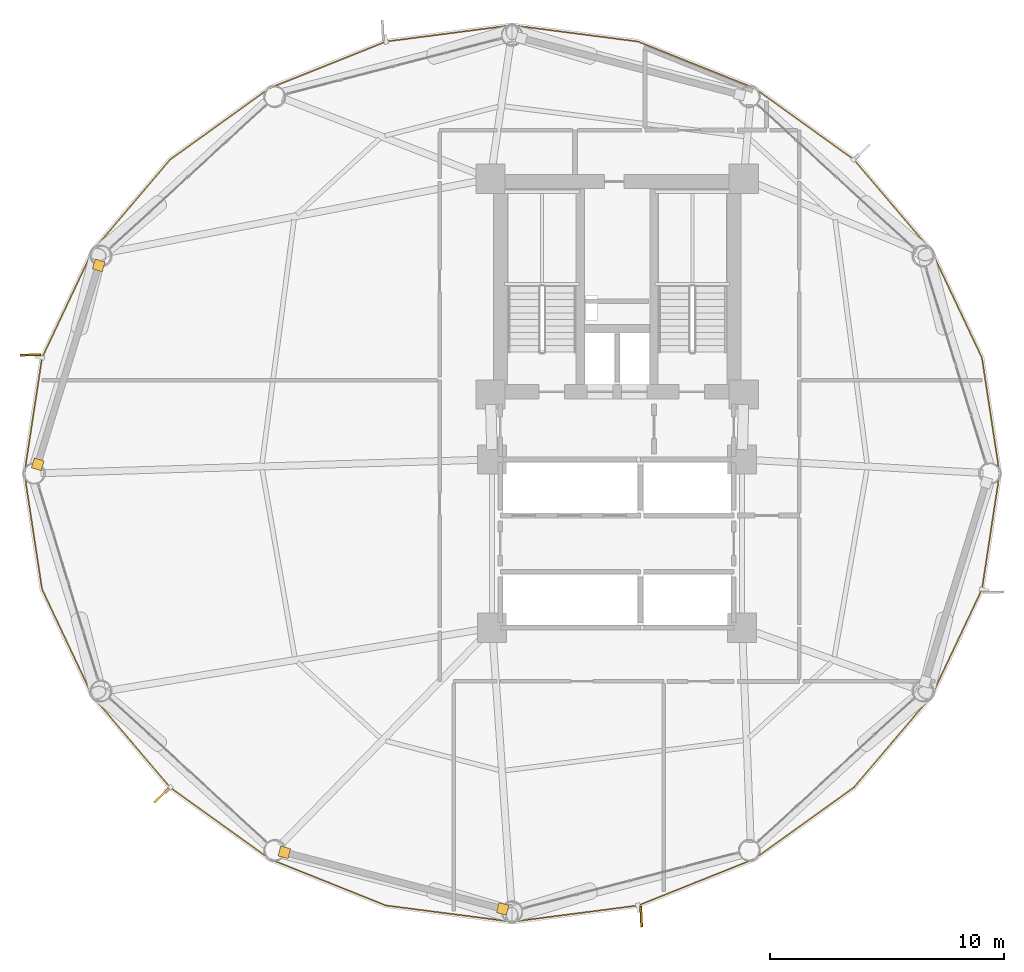
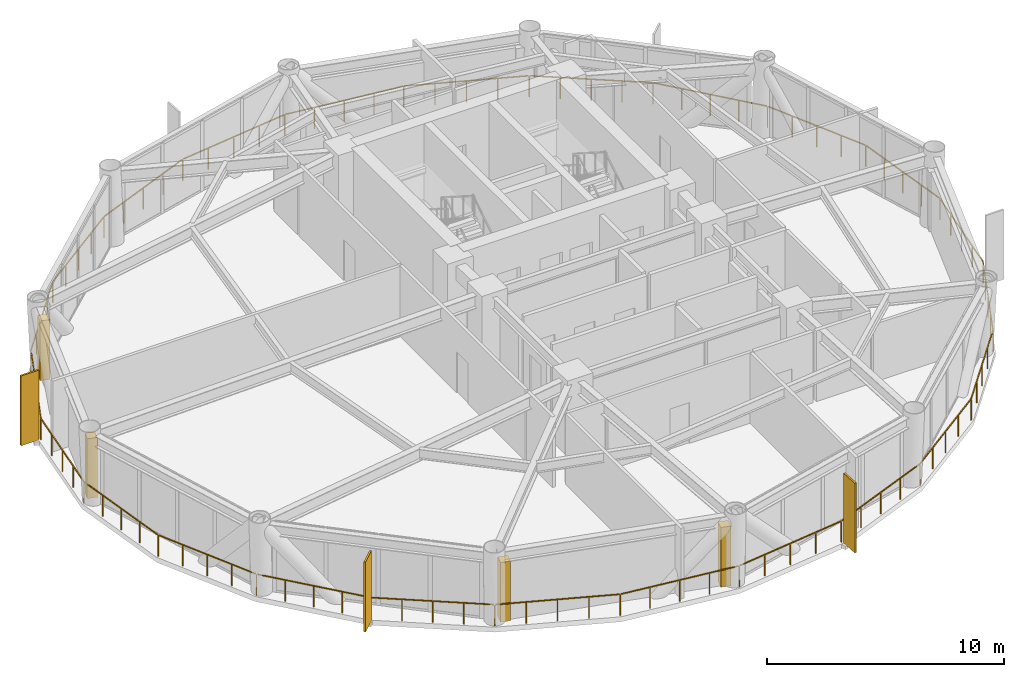
# One storey, part 23 of 25: 4 coverings, 3 shading devices, 1 railing.
"""IFC4 building model written with IfcOpenShell, lengths in metres."""

from ifc_helpers import new_model, si_unit, direction, frame, origin, origin_2d, place, context, subcontext, project, spatial, rectangle, extrude, source, transform, mapped, material, layer, layer_set, type_object, type_shapes, element, save


model = new_model("IFC4")

# Units and contexts
model_context = context("Model", 3, precision=1e-05, world=origin(), true_north=direction((0.0, 1.0)))
body_context = subcontext(model_context, "Body", "Model", "MODEL_VIEW")
ifc_project = project(units=[si_unit("LENGTHUNIT", "METRE"), si_unit("AREAUNIT", "SQUARE_METRE"), si_unit("VOLUMEUNIT", "CUBIC_METRE"), si_unit("PLANEANGLEUNIT", "RADIAN"), si_unit("MASSUNIT", "GRAM", prefix="KILO")], contexts=[model_context])

# Site, building, storey
site_placement = place(None, origin())
site = spatial("IfcSite", under=ifc_project, at=site_placement, CompositionType="ELEMENT")
building_placement = place(site_placement, origin())
building = spatial("IfcBuilding", under=site, at=building_placement, Name="Varnakorn Sky Granary", CompositionType="ELEMENT")
storey_placement = place(building_placement, frame((0.0, 0.0, 35.39990234375)))
storey = spatial("IfcBuildingStorey", under=building, at=storey_placement, Name="L08", CompositionType="ELEMENT", Elevation=35.39990234375)

# Railing
ifc_material = material(Name="Anodised Bronze Aluminium Alloy 6063-T6", Category="aluminium")
railing_type = type_object("IfcRailingType", Name="RL-BAL-1120", PredefinedType="BALUSTRADE", material=ifc_material)
railing_placement = place(storey_placement, frame((19.372802734375, 0.0, 0.0)))
element("IfcRailing", 1, at=railing_placement, inside=storey, type_object=railing_type, Name="Perimeter Slab-Edge Safety Guard L08", PredefinedType="BALUSTRADE", context=body_context, shape_type="SweptSolid", body=[
    extrude(rectangle(XDim=0.048095703125, YDim=0.048095703125, at=origin_2d()), frame((-0.004150390625, -0.027587890625, 1.09619140625), z_axis=(-0.150470995328, -0.988614424113, 0.0), x_axis=(0.988614424113, -0.150470995328, 0.0)), (0.0, 0.0, 1.0), 4.95263671875),
    extrude(rectangle(XDim=0.048095703125, YDim=0.048095703125, at=origin_2d()), frame((-0.765625, -4.97705078125, 1.09619140625), z_axis=(-0.426676074234, -0.904404515511, 0.0), x_axis=(0.904404515511, -0.426676074234, 0.0)), (0.0, 0.0, 1.0), 4.998779296875),
    extrude(rectangle(XDim=0.048095703125, YDim=0.048095703125, at=origin_2d()), frame((-2.928466796875, -9.54443359375, 1.09619140625), z_axis=(-0.647459465453, -0.762099888856, 0.0), x_axis=(0.762099888856, -0.647459465453, 0.0)), (0.0, 0.0, 1.0), 5.082763671875),
    extrude(rectangle(XDim=0.048095703125, YDim=0.048095703125, at=origin_2d()), frame((-6.26025390625, -13.455810546875, 1.09619140625), z_axis=(-0.812294920325, -0.583246913763, 0.0), x_axis=(0.583246913763, -0.812294920325, 0.0)), (0.0, 0.0, 1.0), 5.193603515625),
    extrude(rectangle(XDim=0.048095703125, YDim=0.048095703125, at=origin_2d()), frame((-10.527587890625, -16.51171875, 1.09619140625), z_axis=(-0.928504943011, -0.371320038248, 0.0), x_axis=(0.371320038248, -0.928504943011, 0.0)), (0.0, 0.0, 1.0), 5.30712890625),
    extrude(rectangle(XDim=0.048095703125, YDim=0.048095703125, at=origin_2d()), frame((-15.50927734375, -18.496337890625, 1.09619140625), z_axis=(-0.991734601453, -0.128306197362, 0.0), x_axis=(0.128306197362, -0.991734601453, 0.0)), (0.0, 0.0, 1.0), 5.38037109375),
    extrude(rectangle(XDim=0.048095703125, YDim=0.048095703125, at=origin_2d()), frame((-20.900634765625, -19.1865234375, 1.09619140625), z_axis=(-0.991734601453, 0.128306197362, 0.0), x_axis=(-0.128306197362, -0.991734601453, 0.0)), (0.0, 0.0, 1.0), 5.38037109375),
    extrude(rectangle(XDim=0.048095703125, YDim=0.048095703125, at=origin_2d()), frame((-26.2900390625, -18.482177734375, 1.09619140625), z_axis=(-0.928504943011, 0.371320038248, 0.0), x_axis=(-0.371320038248, -0.928504943011, 0.0)), (0.0, 0.0, 1.0), 5.30712890625),
    extrude(rectangle(XDim=0.048095703125, YDim=0.048095703125, at=origin_2d()), frame((-31.2666015625, -16.48486328125, 1.09619140625), z_axis=(-0.812294920325, 0.583246913763, 0.0), x_axis=(-0.583246913763, -0.812294920325, 0.0)), (0.0, 0.0, 1.0), 5.193603515625),
    extrude(rectangle(XDim=0.048095703125, YDim=0.048095703125, at=origin_2d()), frame((-35.526123046875, -13.418212890625, 1.09619140625), z_axis=(-0.647459465453, 0.762099888856, 0.0), x_axis=(-0.762099888856, -0.647459465453, 0.0)), (0.0, 0.0, 1.0), 5.082763671875),
    extrude(rectangle(XDim=0.048095703125, YDim=0.048095703125, at=origin_2d()), frame((-38.84716796875, -9.497802734375, 1.09619140625), z_axis=(-0.426676074234, 0.904404515511, 0.0), x_axis=(-0.904404515511, -0.426676074234, 0.0)), (0.0, 0.0, 1.0), 4.998779296875),
    extrude(rectangle(XDim=0.048095703125, YDim=0.048095703125, at=origin_2d()), frame((-40.99609375, -4.924072265625, 1.09619140625), z_axis=(-0.150470995328, 0.988614424113, 0.0), x_axis=(-0.988614424113, -0.150470995328, 0.0)), (0.0, 0.0, 1.0), 4.95263671875),
    extrude(rectangle(XDim=0.048095703125, YDim=0.048095703125, at=origin_2d()), frame((-41.741455078125, 0.027587890625, 1.09619140625), z_axis=(0.150470995328, 0.988614424113, 0.0), x_axis=(-0.988614424113, 0.150470995328, 0.0)), (0.0, 0.0, 1.0), 4.95263671875),
    extrude(rectangle(XDim=0.048095703125, YDim=0.048095703125, at=origin_2d()), frame((-40.97998046875, 4.97705078125, 1.09619140625), z_axis=(0.426676074234, 0.904404515511, 0.0), x_axis=(-0.904404515511, 0.426676074234, 0.0)), (0.0, 0.0, 1.0), 4.998779296875),
    extrude(rectangle(XDim=0.048095703125, YDim=0.048095703125, at=origin_2d()), frame((-38.817138671875, 9.54443359375, 1.09619140625), z_axis=(0.647459465453, 0.762099888856, 0.0), x_axis=(-0.762099888856, 0.647459465453, 0.0)), (0.0, 0.0, 1.0), 5.082763671875),
    extrude(rectangle(XDim=0.048095703125, YDim=0.048095703125, at=origin_2d()), frame((-35.4853515625, 13.455810546875, 1.09619140625), z_axis=(0.812294920325, 0.583246913763, 0.0), x_axis=(-0.583246913763, 0.812294920325, 0.0)), (0.0, 0.0, 1.0), 5.193603515625),
    extrude(rectangle(XDim=0.048095703125, YDim=0.048095703125, at=origin_2d()), frame((-31.218017578125, 16.51171875, 1.09619140625), z_axis=(0.928504943011, 0.371320038248, 0.0), x_axis=(-0.371320038248, 0.928504943011, 0.0)), (0.0, 0.0, 1.0), 5.30712890625),
    extrude(rectangle(XDim=0.048095703125, YDim=0.048095703125, at=origin_2d()), frame((-26.236328125, 18.496337890625, 1.09619140625), z_axis=(0.991734601453, 0.128306197362, 0.0), x_axis=(-0.128306197362, 0.991734601453, 0.0)), (0.0, 0.0, 1.0), 5.38037109375),
    extrude(rectangle(XDim=0.048095703125, YDim=0.048095703125, at=origin_2d()), frame((-20.844970703125, 19.1865234375, 1.09619140625), z_axis=(0.991734601453, -0.128306197362, 0.0), x_axis=(0.128306197362, 0.991734601453, 0.0)), (0.0, 0.0, 1.0), 5.38037109375),
    extrude(rectangle(XDim=0.048095703125, YDim=0.048095703125, at=origin_2d()), frame((-15.45556640625, 18.482177734375, 1.09619140625), z_axis=(0.928504943011, -0.371320038248, 0.0), x_axis=(0.371320038248, 0.928504943011, 0.0)), (0.0, 0.0, 1.0), 5.30712890625),
    extrude(rectangle(XDim=0.048095703125, YDim=0.048095703125, at=origin_2d()), frame((-10.47900390625, 16.48486328125, 1.09619140625), z_axis=(0.812294920325, -0.583246913763, 0.0), x_axis=(0.583246913763, 0.812294920325, 0.0)), (0.0, 0.0, 1.0), 5.193603515625),
    extrude(rectangle(XDim=0.048095703125, YDim=0.048095703125, at=origin_2d()), frame((-6.219482421875, 13.418212890625, 1.09619140625), z_axis=(0.647459465453, -0.762099888856, 0.0), x_axis=(0.762099888856, 0.647459465453, 0.0)), (0.0, 0.0, 1.0), 5.082763671875),
    extrude(rectangle(XDim=0.048095703125, YDim=0.048095703125, at=origin_2d()), frame((-2.8984375, 9.497802734375, 1.09619140625), z_axis=(0.426676074234, -0.904404515511, 0.0), x_axis=(0.904404515511, 0.426676074234, 0.0)), (0.0, 0.0, 1.0), 4.998779296875),
    extrude(rectangle(XDim=0.048095703125, YDim=0.048095703125, at=origin_2d()), frame((-0.74951171875, 4.924072265625, 1.09619140625), z_axis=(0.150470995328, -0.988614424113, 0.0), x_axis=(0.988614424113, 0.150470995328, 0.0)), (0.0, 0.0, 1.0), 4.95263671875),
    extrude(rectangle(XDim=0.0419921875, YDim=0.0419921875, at=origin_2d()), origin(), (0.0, 0.0, 1.0), 1.068115234375),
    extrude(rectangle(XDim=0.0419921875, YDim=0.0419921875, at=origin_2d()), frame((-0.1884765625, -1.23779296875, 0.0)), (0.0, 0.0, 1.0), 1.068115234375),
    extrude(rectangle(XDim=0.0419921875, YDim=0.0419921875, at=origin_2d()), frame((-0.376953125, -2.475830078125, 0.0)), (0.0, 0.0, 1.0), 1.068115234375),
    extrude(rectangle(XDim=0.0419921875, YDim=0.0419921875, at=origin_2d()), frame((-0.565185546875, -3.7138671875, 0.0)), (0.0, 0.0, 1.0), 1.068115234375),
    extrude(rectangle(XDim=0.0419921875, YDim=0.0419921875, at=origin_2d()), frame((-0.753662109375, -4.95166015625, 0.0)), (0.0, 0.0, 1.0), 1.068115234375),
    extrude(rectangle(XDim=0.0419921875, YDim=0.0419921875, at=origin_2d()), frame((-1.29296875, -6.094482421875, 0.0)), (0.0, 0.0, 1.0), 1.068115234375),
    extrude(rectangle(XDim=0.0419921875, YDim=0.0419921875, at=origin_2d()), frame((-1.83203125, -7.2373046875, 0.0)), (0.0, 0.0, 1.0), 1.068115234375),
    extrude(rectangle(XDim=0.0419921875, YDim=0.0419921875, at=origin_2d()), frame((-2.37109375, -8.38037109375, 0.0)), (0.0, 0.0, 1.0), 1.068115234375),
    extrude(rectangle(XDim=0.0419921875, YDim=0.0419921875, at=origin_2d()), frame((-2.910400390625, -9.523193359375, 0.0)), (0.0, 0.0, 1.0), 1.068115234375),
    extrude(rectangle(XDim=0.0419921875, YDim=0.0419921875, at=origin_2d()), frame((-3.7421875, -10.502197265625, 0.0)), (0.0, 0.0, 1.0), 1.068115234375),
    extrude(rectangle(XDim=0.0419921875, YDim=0.0419921875, at=origin_2d()), frame((-4.573974609375, -11.4814453125, 0.0)), (0.0, 0.0, 1.0), 1.068115234375),
    extrude(rectangle(XDim=0.0419921875, YDim=0.0419921875, at=origin_2d()), frame((-5.40576171875, -12.46044921875, 0.0)), (0.0, 0.0, 1.0), 1.068115234375),
    extrude(rectangle(XDim=0.0419921875, YDim=0.0419921875, at=origin_2d()), frame((-6.237548828125, -13.439453125, 0.0)), (0.0, 0.0, 1.0), 1.068115234375),
    extrude(rectangle(XDim=0.0419921875, YDim=0.0419921875, at=origin_2d()), frame((-7.3037109375, -14.204833984375, 0.0)), (0.0, 0.0, 1.0), 1.068115234375),
    extrude(rectangle(XDim=0.0419921875, YDim=0.0419921875, at=origin_2d()), frame((-8.36962890625, -14.97021484375, 0.0)), (0.0, 0.0, 1.0), 1.068115234375),
    extrude(rectangle(XDim=0.0419921875, YDim=0.0419921875, at=origin_2d()), frame((-9.435546875, -15.73583984375, 0.0)), (0.0, 0.0, 1.0), 1.068115234375),
    extrude(rectangle(XDim=0.0419921875, YDim=0.0419921875, at=origin_2d()), frame((-10.501708984375, -16.501220703125, 0.0)), (0.0, 0.0, 1.0), 1.068115234375),
    extrude(rectangle(XDim=0.0419921875, YDim=0.0419921875, at=origin_2d()), frame((-11.74658203125, -16.9990234375, 0.0)), (0.0, 0.0, 1.0), 1.068115234375),
    extrude(rectangle(XDim=0.0419921875, YDim=0.0419921875, at=origin_2d()), frame((-12.99169921875, -17.4970703125, 0.0)), (0.0, 0.0, 1.0), 1.068115234375),
    extrude(rectangle(XDim=0.0419921875, YDim=0.0419921875, at=origin_2d()), frame((-14.236572265625, -17.994873046875, 0.0)), (0.0, 0.0, 1.0), 1.068115234375),
    extrude(rectangle(XDim=0.0419921875, YDim=0.0419921875, at=origin_2d()), frame((-15.4814453125, -18.49267578125, 0.0)), (0.0, 0.0, 1.0), 1.068115234375),
    extrude(rectangle(XDim=0.0419921875, YDim=0.0419921875, at=origin_2d()), frame((-16.829345703125, -18.6669921875, 0.0)), (0.0, 0.0, 1.0), 1.068115234375),
    extrude(rectangle(XDim=0.0419921875, YDim=0.0419921875, at=origin_2d()), frame((-18.17724609375, -18.84130859375, 0.0)), (0.0, 0.0, 1.0), 1.068115234375),
    extrude(rectangle(XDim=0.0419921875, YDim=0.0419921875, at=origin_2d()), frame((-19.52490234375, -19.015869140625, 0.0)), (0.0, 0.0, 1.0), 1.068115234375),
    extrude(rectangle(XDim=0.0419921875, YDim=0.0419921875, at=origin_2d()), frame((-20.872802734375, -19.190185546875, 0.0)), (0.0, 0.0, 1.0), 1.068115234375),
    extrude(rectangle(XDim=0.0419921875, YDim=0.0419921875, at=origin_2d()), frame((-22.220703125, -19.015869140625, 0.0)), (0.0, 0.0, 1.0), 1.068115234375),
    extrude(rectangle(XDim=0.0419921875, YDim=0.0419921875, at=origin_2d()), frame((-23.568359375, -18.84130859375, 0.0)), (0.0, 0.0, 1.0), 1.068115234375),
    extrude(rectangle(XDim=0.0419921875, YDim=0.0419921875, at=origin_2d()), frame((-24.916259765625, -18.6669921875, 0.0)), (0.0, 0.0, 1.0), 1.068115234375),
    extrude(rectangle(XDim=0.0419921875, YDim=0.0419921875, at=origin_2d()), frame((-26.26416015625, -18.49267578125, 0.0)), (0.0, 0.0, 1.0), 1.068115234375),
    extrude(rectangle(XDim=0.0419921875, YDim=0.0419921875, at=origin_2d()), frame((-27.509033203125, -17.994873046875, 0.0)), (0.0, 0.0, 1.0), 1.068115234375),
    extrude(rectangle(XDim=0.0419921875, YDim=0.0419921875, at=origin_2d()), frame((-28.75390625, -17.4970703125, 0.0)), (0.0, 0.0, 1.0), 1.068115234375),
    extrude(rectangle(XDim=0.0419921875, YDim=0.0419921875, at=origin_2d()), frame((-29.9990234375, -16.9990234375, 0.0)), (0.0, 0.0, 1.0), 1.068115234375),
    extrude(rectangle(XDim=0.0419921875, YDim=0.0419921875, at=origin_2d()), frame((-31.243896484375, -16.501220703125, 0.0)), (0.0, 0.0, 1.0), 1.068115234375),
    extrude(rectangle(XDim=0.0419921875, YDim=0.0419921875, at=origin_2d()), frame((-32.31005859375, -15.73583984375, 0.0)), (0.0, 0.0, 1.0), 1.068115234375),
    extrude(rectangle(XDim=0.0419921875, YDim=0.0419921875, at=origin_2d()), frame((-33.3759765625, -14.97021484375, 0.0)), (0.0, 0.0, 1.0), 1.068115234375),
    extrude(rectangle(XDim=0.0419921875, YDim=0.0419921875, at=origin_2d()), frame((-34.44189453125, -14.204833984375, 0.0)), (0.0, 0.0, 1.0), 1.068115234375),
    extrude(rectangle(XDim=0.0419921875, YDim=0.0419921875, at=origin_2d()), frame((-35.508056640625, -13.439453125, 0.0)), (0.0, 0.0, 1.0), 1.068115234375),
    extrude(rectangle(XDim=0.0419921875, YDim=0.0419921875, at=origin_2d()), frame((-36.33984375, -12.46044921875, 0.0)), (0.0, 0.0, 1.0), 1.068115234375),
    extrude(rectangle(XDim=0.0419921875, YDim=0.0419921875, at=origin_2d()), frame((-37.171630859375, -11.4814453125, 0.0)), (0.0, 0.0, 1.0), 1.068115234375),
    extrude(rectangle(XDim=0.0419921875, YDim=0.0419921875, at=origin_2d()), frame((-38.00341796875, -10.502197265625, 0.0)), (0.0, 0.0, 1.0), 1.068115234375),
    extrude(rectangle(XDim=0.0419921875, YDim=0.0419921875, at=origin_2d()), frame((-38.835205078125, -9.523193359375, 0.0)), (0.0, 0.0, 1.0), 1.068115234375),
    extrude(rectangle(XDim=0.0419921875, YDim=0.0419921875, at=origin_2d()), frame((-39.37451171875, -8.38037109375, 0.0)), (0.0, 0.0, 1.0), 1.068115234375),
    extrude(rectangle(XDim=0.0419921875, YDim=0.0419921875, at=origin_2d()), frame((-39.91357421875, -7.2373046875, 0.0)), (0.0, 0.0, 1.0), 1.068115234375),
    extrude(rectangle(XDim=0.0419921875, YDim=0.0419921875, at=origin_2d()), frame((-40.45263671875, -6.094482421875, 0.0)), (0.0, 0.0, 1.0), 1.068115234375),
    extrude(rectangle(XDim=0.0419921875, YDim=0.0419921875, at=origin_2d()), frame((-40.991943359375, -4.95166015625, 0.0)), (0.0, 0.0, 1.0), 1.068115234375),
    extrude(rectangle(XDim=0.0419921875, YDim=0.0419921875, at=origin_2d()), frame((-41.180419921875, -3.7138671875, 0.0)), (0.0, 0.0, 1.0), 1.068115234375),
    extrude(rectangle(XDim=0.0419921875, YDim=0.0419921875, at=origin_2d()), frame((-41.36865234375, -2.475830078125, 0.0)), (0.0, 0.0, 1.0), 1.068115234375),
    extrude(rectangle(XDim=0.0419921875, YDim=0.0419921875, at=origin_2d()), frame((-41.55712890625, -1.23779296875, 0.0)), (0.0, 0.0, 1.0), 1.068115234375),
    extrude(rectangle(XDim=0.0419921875, YDim=0.0419921875, at=origin_2d()), frame((-41.74560546875, 0.0, 0.0)), (0.0, 0.0, 1.0), 1.068115234375),
    extrude(rectangle(XDim=0.0419921875, YDim=0.0419921875, at=origin_2d()), frame((-41.55712890625, 1.23779296875, 0.0)), (0.0, 0.0, 1.0), 1.068115234375),
    extrude(rectangle(XDim=0.0419921875, YDim=0.0419921875, at=origin_2d()), frame((-41.36865234375, 2.475830078125, 0.0)), (0.0, 0.0, 1.0), 1.068115234375),
    extrude(rectangle(XDim=0.0419921875, YDim=0.0419921875, at=origin_2d()), frame((-41.180419921875, 3.7138671875, 0.0)), (0.0, 0.0, 1.0), 1.068115234375),
    extrude(rectangle(XDim=0.0419921875, YDim=0.0419921875, at=origin_2d()), frame((-40.991943359375, 4.95166015625, 0.0)), (0.0, 0.0, 1.0), 1.068115234375),
    extrude(rectangle(XDim=0.0419921875, YDim=0.0419921875, at=origin_2d()), frame((-40.45263671875, 6.094482421875, 0.0)), (0.0, 0.0, 1.0), 1.068115234375),
    extrude(rectangle(XDim=0.0419921875, YDim=0.0419921875, at=origin_2d()), frame((-39.91357421875, 7.2373046875, 0.0)), (0.0, 0.0, 1.0), 1.068115234375),
    extrude(rectangle(XDim=0.0419921875, YDim=0.0419921875, at=origin_2d()), frame((-39.37451171875, 8.38037109375, 0.0)), (0.0, 0.0, 1.0), 1.068115234375),
    extrude(rectangle(XDim=0.0419921875, YDim=0.0419921875, at=origin_2d()), frame((-38.835205078125, 9.523193359375, 0.0)), (0.0, 0.0, 1.0), 1.068115234375),
    extrude(rectangle(XDim=0.0419921875, YDim=0.0419921875, at=origin_2d()), frame((-38.00341796875, 10.502197265625, 0.0)), (0.0, 0.0, 1.0), 1.068115234375),
    extrude(rectangle(XDim=0.0419921875, YDim=0.0419921875, at=origin_2d()), frame((-37.171630859375, 11.4814453125, 0.0)), (0.0, 0.0, 1.0), 1.068115234375),
    extrude(rectangle(XDim=0.0419921875, YDim=0.0419921875, at=origin_2d()), frame((-36.33984375, 12.46044921875, 0.0)), (0.0, 0.0, 1.0), 1.068115234375),
    extrude(rectangle(XDim=0.0419921875, YDim=0.0419921875, at=origin_2d()), frame((-35.508056640625, 13.439453125, 0.0)), (0.0, 0.0, 1.0), 1.068115234375),
    extrude(rectangle(XDim=0.0419921875, YDim=0.0419921875, at=origin_2d()), frame((-34.44189453125, 14.204833984375, 0.0)), (0.0, 0.0, 1.0), 1.068115234375),
    extrude(rectangle(XDim=0.0419921875, YDim=0.0419921875, at=origin_2d()), frame((-33.3759765625, 14.97021484375, 0.0)), (0.0, 0.0, 1.0), 1.068115234375),
    extrude(rectangle(XDim=0.0419921875, YDim=0.0419921875, at=origin_2d()), frame((-32.31005859375, 15.73583984375, 0.0)), (0.0, 0.0, 1.0), 1.068115234375),
    extrude(rectangle(XDim=0.0419921875, YDim=0.0419921875, at=origin_2d()), frame((-31.243896484375, 16.501220703125, 0.0)), (0.0, 0.0, 1.0), 1.068115234375),
    extrude(rectangle(XDim=0.0419921875, YDim=0.0419921875, at=origin_2d()), frame((-29.9990234375, 16.9990234375, 0.0)), (0.0, 0.0, 1.0), 1.068115234375),
    extrude(rectangle(XDim=0.0419921875, YDim=0.0419921875, at=origin_2d()), frame((-28.75390625, 17.4970703125, 0.0)), (0.0, 0.0, 1.0), 1.068115234375),
    extrude(rectangle(XDim=0.0419921875, YDim=0.0419921875, at=origin_2d()), frame((-27.509033203125, 17.994873046875, 0.0)), (0.0, 0.0, 1.0), 1.068115234375),
    extrude(rectangle(XDim=0.0419921875, YDim=0.0419921875, at=origin_2d()), frame((-26.26416015625, 18.49267578125, 0.0)), (0.0, 0.0, 1.0), 1.068115234375),
    extrude(rectangle(XDim=0.0419921875, YDim=0.0419921875, at=origin_2d()), frame((-24.916259765625, 18.6669921875, 0.0)), (0.0, 0.0, 1.0), 1.068115234375),
    extrude(rectangle(XDim=0.0419921875, YDim=0.0419921875, at=origin_2d()), frame((-23.568359375, 18.84130859375, 0.0)), (0.0, 0.0, 1.0), 1.068115234375),
    extrude(rectangle(XDim=0.0419921875, YDim=0.0419921875, at=origin_2d()), frame((-22.220703125, 19.015869140625, 0.0)), (0.0, 0.0, 1.0), 1.068115234375),
    extrude(rectangle(XDim=0.0419921875, YDim=0.0419921875, at=origin_2d()), frame((-20.872802734375, 19.190185546875, 0.0)), (0.0, 0.0, 1.0), 1.068115234375),
    extrude(rectangle(XDim=0.0419921875, YDim=0.0419921875, at=origin_2d()), frame((-19.52490234375, 19.015869140625, 0.0)), (0.0, 0.0, 1.0), 1.068115234375),
    extrude(rectangle(XDim=0.0419921875, YDim=0.0419921875, at=origin_2d()), frame((-18.17724609375, 18.84130859375, 0.0)), (0.0, 0.0, 1.0), 1.068115234375),
    extrude(rectangle(XDim=0.0419921875, YDim=0.0419921875, at=origin_2d()), frame((-16.829345703125, 18.6669921875, 0.0)), (0.0, 0.0, 1.0), 1.068115234375),
    extrude(rectangle(XDim=0.0419921875, YDim=0.0419921875, at=origin_2d()), frame((-15.4814453125, 18.49267578125, 0.0)), (0.0, 0.0, 1.0), 1.068115234375),
    extrude(rectangle(XDim=0.0419921875, YDim=0.0419921875, at=origin_2d()), frame((-14.236572265625, 17.994873046875, 0.0)), (0.0, 0.0, 1.0), 1.068115234375),
    extrude(rectangle(XDim=0.0419921875, YDim=0.0419921875, at=origin_2d()), frame((-12.99169921875, 17.4970703125, 0.0)), (0.0, 0.0, 1.0), 1.068115234375),
    extrude(rectangle(XDim=0.0419921875, YDim=0.0419921875, at=origin_2d()), frame((-11.74658203125, 16.9990234375, 0.0)), (0.0, 0.0, 1.0), 1.068115234375),
    extrude(rectangle(XDim=0.0419921875, YDim=0.0419921875, at=origin_2d()), frame((-10.501708984375, 16.501220703125, 0.0)), (0.0, 0.0, 1.0), 1.068115234375),
    extrude(rectangle(XDim=0.0419921875, YDim=0.0419921875, at=origin_2d()), frame((-9.435546875, 15.73583984375, 0.0)), (0.0, 0.0, 1.0), 1.068115234375),
    extrude(rectangle(XDim=0.0419921875, YDim=0.0419921875, at=origin_2d()), frame((-8.36962890625, 14.97021484375, 0.0)), (0.0, 0.0, 1.0), 1.068115234375),
    extrude(rectangle(XDim=0.0419921875, YDim=0.0419921875, at=origin_2d()), frame((-7.3037109375, 14.204833984375, 0.0)), (0.0, 0.0, 1.0), 1.068115234375),
    extrude(rectangle(XDim=0.0419921875, YDim=0.0419921875, at=origin_2d()), frame((-6.237548828125, 13.439453125, 0.0)), (0.0, 0.0, 1.0), 1.068115234375),
    extrude(rectangle(XDim=0.0419921875, YDim=0.0419921875, at=origin_2d()), frame((-5.40576171875, 12.46044921875, 0.0)), (0.0, 0.0, 1.0), 1.068115234375),
    extrude(rectangle(XDim=0.0419921875, YDim=0.0419921875, at=origin_2d()), frame((-4.573974609375, 11.4814453125, 0.0)), (0.0, 0.0, 1.0), 1.068115234375),
    extrude(rectangle(XDim=0.0419921875, YDim=0.0419921875, at=origin_2d()), frame((-3.7421875, 10.502197265625, 0.0)), (0.0, 0.0, 1.0), 1.068115234375),
    extrude(rectangle(XDim=0.0419921875, YDim=0.0419921875, at=origin_2d()), frame((-2.910400390625, 9.523193359375, 0.0)), (0.0, 0.0, 1.0), 1.068115234375),
    extrude(rectangle(XDim=0.0419921875, YDim=0.0419921875, at=origin_2d()), frame((-2.37109375, 8.38037109375, 0.0)), (0.0, 0.0, 1.0), 1.068115234375),
    extrude(rectangle(XDim=0.0419921875, YDim=0.0419921875, at=origin_2d()), frame((-1.83203125, 7.2373046875, 0.0)), (0.0, 0.0, 1.0), 1.068115234375),
    extrude(rectangle(XDim=0.0419921875, YDim=0.0419921875, at=origin_2d()), frame((-1.29296875, 6.094482421875, 0.0)), (0.0, 0.0, 1.0), 1.068115234375),
    extrude(rectangle(XDim=0.0419921875, YDim=0.0419921875, at=origin_2d()), frame((-0.753662109375, 4.95166015625, 0.0)), (0.0, 0.0, 1.0), 1.068115234375),
    extrude(rectangle(XDim=0.0419921875, YDim=0.0419921875, at=origin_2d()), frame((-0.565185546875, 3.7138671875, 0.0)), (0.0, 0.0, 1.0), 1.068115234375),
    extrude(rectangle(XDim=0.0419921875, YDim=0.0419921875, at=origin_2d()), frame((-0.376953125, 2.475830078125, 0.0)), (0.0, 0.0, 1.0), 1.068115234375),
    extrude(rectangle(XDim=0.0419921875, YDim=0.0419921875, at=origin_2d()), frame((-0.1884765625, 1.23779296875, 0.0)), (0.0, 0.0, 1.0), 1.068115234375),
])

# Shading devices
shading_device_type = type_object("IfcShadingDeviceType", Name="SH-FIN-01", PredefinedType="USERDEFINED", material=ifc_material)
shared_shape_1 = source(origin(), body_context, "Body", "SweptSolid", [
    extrude(rectangle(XDim=0.0849609375, YDim=0.8798828125, at=origin_2d()), origin(), (0.0, 0.0, 1.0), 3.60009765625),
])
type_shapes(shading_device_type, [shared_shape_1])
for number, where, z_axis, x_axis, name in (
    (2, (-22.10498046875, 5.074462890625, -0.0400390625), (0.0, 0.0, 1.0), (0.005841554724, -0.999982937974, 0.0), "Bronze Solar-Tracking Vertical Blade FIN L08-06"),
    (3, (-16.501708984375, -13.780517578125, -0.0400390625), (0.0, 0.0, 1.0), (0.693725761954, -0.720239243031, 0.0), "Bronze Solar-Tracking Vertical Blade FIN L08-08"),
    (4, (4.03125, -18.973388671875, -0.0400390625), (0.0, 0.0, 1.0), (0.998840355183, 0.048145039813, 0.0), "Bronze Solar-Tracking Vertical Blade FIN L08-10"),
):
    element("IfcShadingDevice", number, at=place(storey_placement, frame(where, z_axis=z_axis, x_axis=x_axis)), inside=storey, type_object=shading_device_type, Name=name, ObjectType="FIN", PredefinedType="USERDEFINED", context=body_context, shape_type="MappedRepresentation", body=[
        mapped(shared_shape_1, transform((0.0, 0.0, 0.0), x_axis=(1.0, 0.0, 0.0), y_axis=(0.0, 1.0, 0.0), z_axis=(0.0, 0.0, 1.0), scale=1.0)),
    ])

# Coverings
ifc_layer = layer(ifc_material, 0.050048828125, Name="Anodised Bronze Aluminium Alloy 6063-T6")
ifc_layer_set = layer_set([ifc_layer], Name="Anodised Bronze Aluminium Alloy 6063-T6")
covering_type = type_object("IfcCoveringType", Name="CV-CLAD-50", PredefinedType="CLADDING", material=ifc_layer_set)
shared_shape_2 = source(origin(), body_context, "Body", "SweptSolid", [
    extrude(rectangle(XDim=0.43994140625, YDim=0.43994140625, at=origin_2d()), origin(), (0.0, 0.0, 1.0), 3.080078125),
])
type_shapes(covering_type, [shared_shape_2])
for number, where, z_axis, x_axis, name in (
    (5, (-21.80322265625, 0.393798828125, -0.02001953125), (0.0, 0.0, 1.0), (0.293206126622, 0.956049249417, 0.0), "Bronze Corner Pilaster Closure L08-P06-A"),
    (6, (-19.191650390625, 8.9091796875, -0.02001953125), (0.0, 0.0, 1.0), (0.293206126622, 0.956049249417, 0.0), "Bronze Corner Pilaster Closure L08-P06-B"),
    (7, (-1.898681640625, -18.6376953125, -0.02001953125), (0.0, 0.0, 1.0), (-0.968060182288, 0.250717936073, 0.0), "Bronze Corner Pilaster Closure L08-P09-A"),
    (8, (-11.24560546875, -16.216552734375, -0.02001953125), (0.0, 0.0, 1.0), (-0.968060182288, 0.250717936073, 0.0), "Bronze Corner Pilaster Closure L08-P09-B"),
):
    element("IfcCovering", number, at=place(storey_placement, frame(where, z_axis=z_axis, x_axis=x_axis)), inside=storey, type_object=covering_type, Name=name, PredefinedType="CLADDING", context=body_context, shape_type="MappedRepresentation", body=[
        mapped(shared_shape_2, transform((0.0, 0.0, 0.0), x_axis=(1.0, 0.0, 0.0), y_axis=(0.0, 1.0, 0.0), z_axis=(0.0, 0.0, 1.0), scale=1.0)),
    ])

save(model, "model.ifc")
